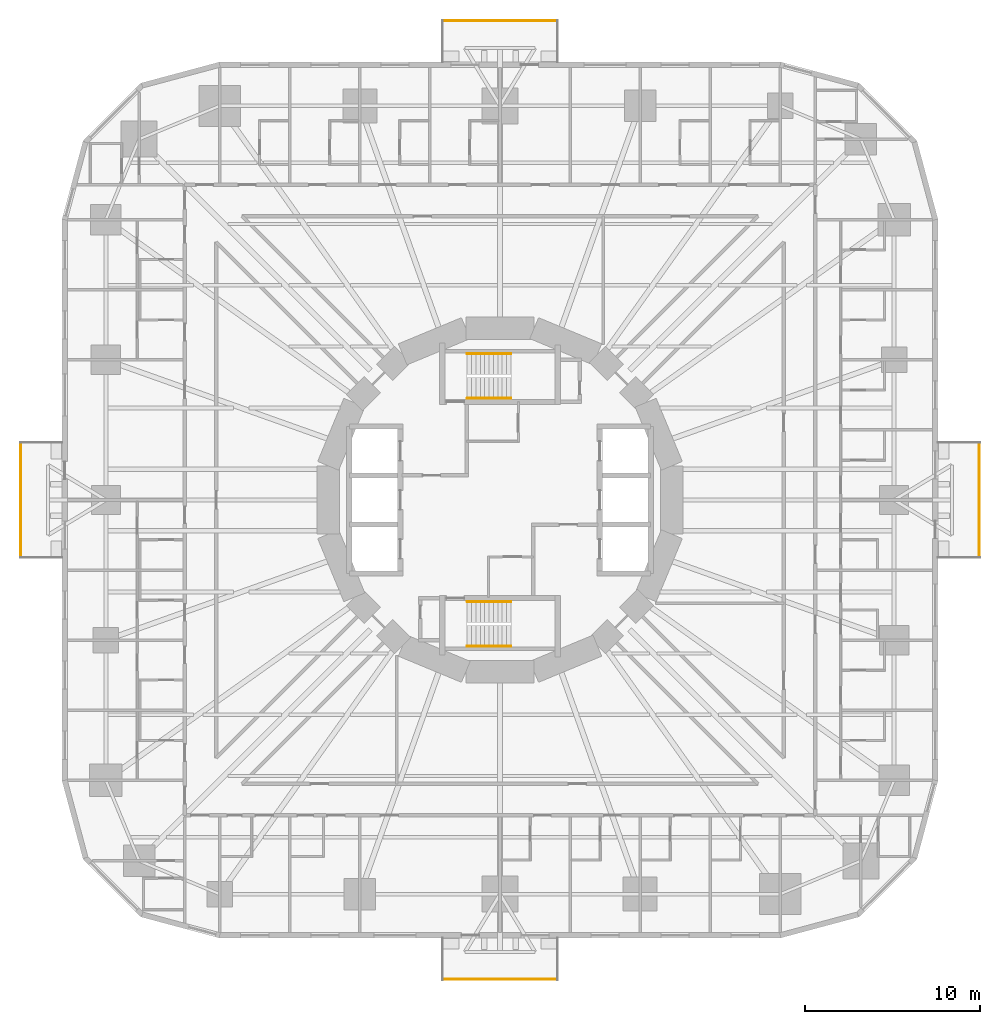
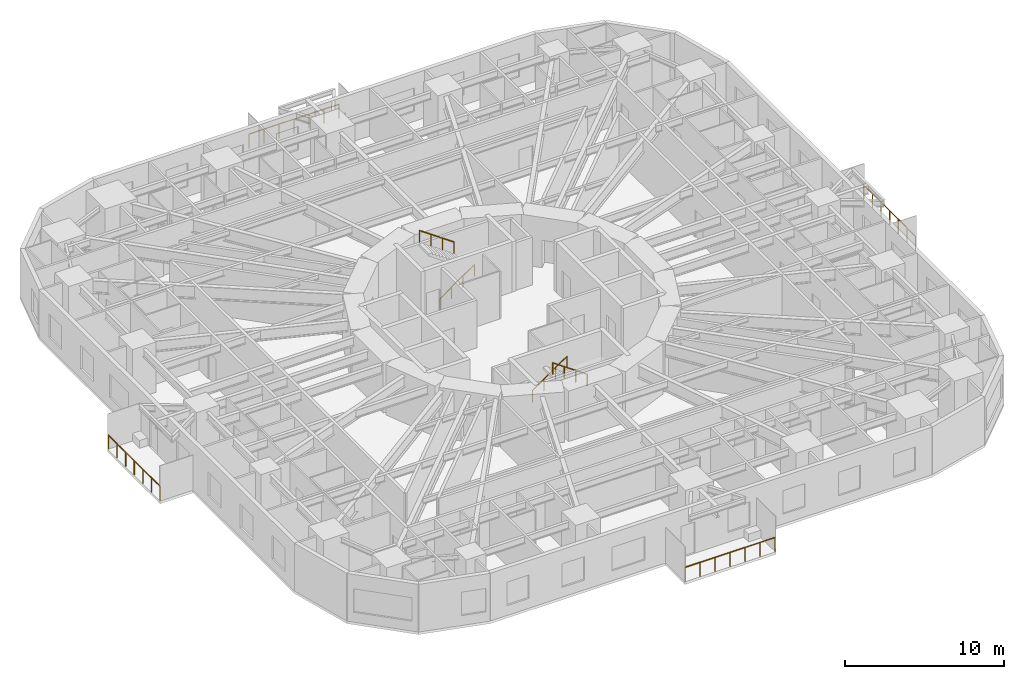
# One storey, part 13 of 14: 8 railings.
"""IFC4 building model written with IfcOpenShell, lengths in metres."""

from ifc_helpers import new_model, si_unit, direction, frame, origin, origin_2d, place, context, subcontext, project, spatial, circle, extrude, material, type_object, element, save


model = new_model("IFC4")

# Units and contexts
model_context = context("Model", 3, precision=1e-05, world=origin(), true_north=direction((0.0, 1.0)))
body_context = subcontext(model_context, "Body", "Model", "MODEL_VIEW")
ifc_project = project(units=[si_unit("LENGTHUNIT", "METRE"), si_unit("AREAUNIT", "SQUARE_METRE"), si_unit("VOLUMEUNIT", "CUBIC_METRE"), si_unit("PLANEANGLEUNIT", "RADIAN"), si_unit("MASSUNIT", "GRAM", prefix="KILO")], contexts=[model_context])

# Site, building, storey
site_placement = place(None, origin())
site = spatial("IfcSite", under=ifc_project, at=site_placement, CompositionType="ELEMENT")
building_placement = place(site_placement, origin())
building = spatial("IfcBuilding", under=site, at=building_placement, Name="Nakasero Lantern House", CompositionType="ELEMENT")
storey_placement = place(building_placement, frame((0.0, 0.0, 42.949951171875)))
storey = spatial("IfcBuildingStorey", under=building, at=storey_placement, Name="L10", CompositionType="ELEMENT", Elevation=42.949951171875)

# Railings
ifc_material_1 = material(Name="Aluminium 6063-T6", Category="aluminium")
railing_type_1 = type_object("IfcRailingType", Name="Balcony guard 1100", PredefinedType="BALUSTRADE", material=ifc_material_1)
railing_1_placement = place(storey_placement, frame((27.35009765625, -3.260009765625, 0.0)))
element("IfcRailing", 1, at=railing_1_placement, inside=storey, type_object=railing_type_1, Name="Balcony guard L10 BAL0", PredefinedType="BALUSTRADE", context=body_context, shape_type="SweptSolid", body=[
    extrude(circle(Radius=0.02392578125, at=origin_2d()), frame((0.0, 0.0, 1.076171875), z_axis=(0.0, 1.0, 0.0), x_axis=(-1.0, 0.0, 0.0)), (0.0, 0.0, 1.0), 6.52001953125),
    extrude(circle(Radius=0.02099609375, at=origin_2d()), origin(), (0.0, 0.0, 1.0), 1.052001953125),
    extrude(circle(Radius=0.02099609375, at=origin_2d()), frame((0.0, 1.086669921875, 0.0)), (0.0, 0.0, 1.0), 1.052001953125),
    extrude(circle(Radius=0.02099609375, at=origin_2d()), frame((0.0, 2.17333984375, 0.0)), (0.0, 0.0, 1.0), 1.052001953125),
    extrude(circle(Radius=0.02099609375, at=origin_2d()), frame((0.0, 3.260009765625, 0.0)), (0.0, 0.0, 1.0), 1.052001953125),
    extrude(circle(Radius=0.02099609375, at=origin_2d()), frame((0.0, 4.3466796875, 0.0)), (0.0, 0.0, 1.0), 1.052001953125),
    extrude(circle(Radius=0.02099609375, at=origin_2d()), frame((0.0, 5.433349609375, 0.0)), (0.0, 0.0, 1.0), 1.052001953125),
    extrude(circle(Radius=0.02099609375, at=origin_2d()), frame((0.0, 6.52001953125, 0.0)), (0.0, 0.0, 1.0), 1.052001953125),
])
railing_2_placement = place(storey_placement, frame((3.260009765625, 27.35009765625, 0.0)))
element("IfcRailing", 2, at=railing_2_placement, inside=storey, type_object=railing_type_1, Name="Balcony guard L10 BAL1", PredefinedType="BALUSTRADE", context=body_context, shape_type="SweptSolid", body=[
    extrude(circle(Radius=0.02392578125, at=origin_2d()), frame((0.0, 0.0, 1.076171875), z_axis=(-1.0, 0.0, 0.0), x_axis=(0.0, -1.0, 0.0)), (0.0, 0.0, 1.0), 6.52001953125),
    extrude(circle(Radius=0.02099609375, at=origin_2d()), origin(), (0.0, 0.0, 1.0), 1.052001953125),
    extrude(circle(Radius=0.02099609375, at=origin_2d()), frame((-1.086669921875, 0.0, 0.0)), (0.0, 0.0, 1.0), 1.052001953125),
    extrude(circle(Radius=0.02099609375, at=origin_2d()), frame((-2.17333984375, 0.0, 0.0)), (0.0, 0.0, 1.0), 1.052001953125),
    extrude(circle(Radius=0.02099609375, at=origin_2d()), frame((-3.260009765625, 0.0, 0.0)), (0.0, 0.0, 1.0), 1.052001953125),
    extrude(circle(Radius=0.02099609375, at=origin_2d()), frame((-4.3466796875, 0.0, 0.0)), (0.0, 0.0, 1.0), 1.052001953125),
    extrude(circle(Radius=0.02099609375, at=origin_2d()), frame((-5.433349609375, 0.0, 0.0)), (0.0, 0.0, 1.0), 1.052001953125),
    extrude(circle(Radius=0.02099609375, at=origin_2d()), frame((-6.52001953125, 0.0, 0.0)), (0.0, 0.0, 1.0), 1.052001953125),
])
railing_3_placement = place(storey_placement, frame((-27.35009765625, 3.260009765625, 0.0)))
element("IfcRailing", 3, at=railing_3_placement, inside=storey, type_object=railing_type_1, Name="Balcony guard L10 BAL2", PredefinedType="BALUSTRADE", context=body_context, shape_type="SweptSolid", body=[
    extrude(circle(Radius=0.02392578125, at=origin_2d()), frame((0.0, 0.0, 1.076171875), z_axis=(0.0, -1.0, 0.0), x_axis=(1.0, 0.0, 0.0)), (0.0, 0.0, 1.0), 6.52001953125),
    extrude(circle(Radius=0.02099609375, at=origin_2d()), origin(), (0.0, 0.0, 1.0), 1.052001953125),
    extrude(circle(Radius=0.02099609375, at=origin_2d()), frame((0.0, -1.086669921875, 0.0)), (0.0, 0.0, 1.0), 1.052001953125),
    extrude(circle(Radius=0.02099609375, at=origin_2d()), frame((0.0, -2.17333984375, 0.0)), (0.0, 0.0, 1.0), 1.052001953125),
    extrude(circle(Radius=0.02099609375, at=origin_2d()), frame((0.0, -3.260009765625, 0.0)), (0.0, 0.0, 1.0), 1.052001953125),
    extrude(circle(Radius=0.02099609375, at=origin_2d()), frame((0.0, -4.3466796875, 0.0)), (0.0, 0.0, 1.0), 1.052001953125),
    extrude(circle(Radius=0.02099609375, at=origin_2d()), frame((0.0, -5.433349609375, 0.0)), (0.0, 0.0, 1.0), 1.052001953125),
    extrude(circle(Radius=0.02099609375, at=origin_2d()), frame((0.0, -6.52001953125, 0.0)), (0.0, 0.0, 1.0), 1.052001953125),
])
railing_4_placement = place(storey_placement, frame((-3.260009765625, -27.35009765625, 0.0)))
element("IfcRailing", 4, at=railing_4_placement, inside=storey, type_object=railing_type_1, Name="Balcony guard L10 BAL3", PredefinedType="BALUSTRADE", context=body_context, shape_type="SweptSolid", body=[
    extrude(circle(Radius=0.02392578125, at=origin_2d()), frame((0.0, 0.0, 1.076171875), z_axis=(1.0, 0.0, 0.0), x_axis=(0.0, 1.0, 0.0)), (0.0, 0.0, 1.0), 6.52001953125),
    extrude(circle(Radius=0.02099609375, at=origin_2d()), origin(), (0.0, 0.0, 1.0), 1.052001953125),
    extrude(circle(Radius=0.02099609375, at=origin_2d()), frame((1.086669921875, 0.0, 0.0)), (0.0, 0.0, 1.0), 1.052001953125),
    extrude(circle(Radius=0.02099609375, at=origin_2d()), frame((2.17333984375, 0.0, 0.0)), (0.0, 0.0, 1.0), 1.052001953125),
    extrude(circle(Radius=0.02099609375, at=origin_2d()), frame((3.260009765625, 0.0, 0.0)), (0.0, 0.0, 1.0), 1.052001953125),
    extrude(circle(Radius=0.02099609375, at=origin_2d()), frame((4.3466796875, 0.0, 0.0)), (0.0, 0.0, 1.0), 1.052001953125),
    extrude(circle(Radius=0.02099609375, at=origin_2d()), frame((5.433349609375, 0.0, 0.0)), (0.0, 0.0, 1.0), 1.052001953125),
    extrude(circle(Radius=0.02099609375, at=origin_2d()), frame((6.52001953125, 0.0, 0.0)), (0.0, 0.0, 1.0), 1.052001953125),
])
ifc_material_2 = material(Name="Stainless steel 316", Category="steel")
railing_type_2 = type_object("IfcRailingType", Name="Stair handrail 900", PredefinedType="HANDRAIL", material=ifc_material_2)
railing_5_placement = place(storey_placement, frame((-1.875, 5.800048828125, 0.175048828125)))
element("IfcRailing", 5, at=railing_5_placement, inside=storey, type_object=railing_type_2, Name="Handrail ST1 L10 flight 1", PredefinedType="HANDRAIL", context=body_context, shape_type="SweptSolid", body=[
    extrude(circle(Radius=0.02392578125, at=origin_2d()), frame((0.0, 0.0, 0.8759765625), z_axis=(0.819231920519, 0.0, 0.573462344363), x_axis=(0.0, 1.0, 0.0)), (0.0, 0.0, 1.0), 3.0517578125),
    extrude(circle(Radius=0.02099609375, at=origin_2d()), origin(), (0.0, 0.0, 1.0), 0.851806640625),
    extrude(circle(Radius=0.02099609375, at=origin_2d()), frame((0.833251953125, 0.0, 0.583251953125)), (0.0, 0.0, 1.0), 0.851806640625),
    extrude(circle(Radius=0.02099609375, at=origin_2d()), frame((1.666748046875, 0.0, 1.166748046875)), (0.0, 0.0, 1.0), 0.851806640625),
    extrude(circle(Radius=0.02099609375, at=origin_2d()), frame((2.5, 0.0, 1.75)), (0.0, 0.0, 1.0), 0.851806640625),
])
railing_6_placement = place(storey_placement, frame((0.625, 8.35009765625, 2.10009765625)))
element("IfcRailing", 6, at=railing_6_placement, inside=storey, type_object=railing_type_2, Name="Handrail ST1 L10 flight 2", PredefinedType="HANDRAIL", context=body_context, shape_type="SweptSolid", body=[
    extrude(circle(Radius=0.02392578125, at=origin_2d()), frame((0.0, 0.0, 0.8759765625), z_axis=(-0.819231920519, 0.0, 0.573462344363), x_axis=(0.0, -1.0, 0.0)), (0.0, 0.0, 1.0), 3.0517578125),
    extrude(circle(Radius=0.02099609375, at=origin_2d()), origin(), (0.0, 0.0, 1.0), 0.851806640625),
    extrude(circle(Radius=0.02099609375, at=origin_2d()), frame((-0.833251953125, 0.0, 0.583251953125)), (0.0, 0.0, 1.0), 0.851806640625),
    extrude(circle(Radius=0.02099609375, at=origin_2d()), frame((-1.666748046875, 0.0, 1.166748046875)), (0.0, 0.0, 1.0), 0.851806640625),
    extrude(circle(Radius=0.02099609375, at=origin_2d()), frame((-2.5, 0.0, 1.75)), (0.0, 0.0, 1.0), 0.851806640625),
])
railing_7_placement = place(storey_placement, frame((-1.875, -5.800048828125, 0.175048828125)))
element("IfcRailing", 7, at=railing_7_placement, inside=storey, type_object=railing_type_2, Name="Handrail ST2 L10 flight 1", PredefinedType="HANDRAIL", context=body_context, shape_type="SweptSolid", body=[
    extrude(circle(Radius=0.02392578125, at=origin_2d()), frame((0.0, 0.0, 0.8759765625), z_axis=(0.819231920519, 0.0, 0.573462344363), x_axis=(0.0, 1.0, 0.0)), (0.0, 0.0, 1.0), 3.0517578125),
    extrude(circle(Radius=0.02099609375, at=origin_2d()), origin(), (0.0, 0.0, 1.0), 0.851806640625),
    extrude(circle(Radius=0.02099609375, at=origin_2d()), frame((0.833251953125, 0.0, 0.583251953125)), (0.0, 0.0, 1.0), 0.851806640625),
    extrude(circle(Radius=0.02099609375, at=origin_2d()), frame((1.666748046875, 0.0, 1.166748046875)), (0.0, 0.0, 1.0), 0.851806640625),
    extrude(circle(Radius=0.02099609375, at=origin_2d()), frame((2.5, 0.0, 1.75)), (0.0, 0.0, 1.0), 0.851806640625),
])
railing_8_placement = place(storey_placement, frame((0.625, -8.35009765625, 2.10009765625)))
element("IfcRailing", 8, at=railing_8_placement, inside=storey, type_object=railing_type_2, Name="Handrail ST2 L10 flight 2", PredefinedType="HANDRAIL", context=body_context, shape_type="SweptSolid", body=[
    extrude(circle(Radius=0.02392578125, at=origin_2d()), frame((0.0, 0.0, 0.8759765625), z_axis=(-0.819231920519, 0.0, 0.573462344363), x_axis=(0.0, -1.0, 0.0)), (0.0, 0.0, 1.0), 3.0517578125),
    extrude(circle(Radius=0.02099609375, at=origin_2d()), origin(), (0.0, 0.0, 1.0), 0.851806640625),
    extrude(circle(Radius=0.02099609375, at=origin_2d()), frame((-0.833251953125, 0.0, 0.583251953125)), (0.0, 0.0, 1.0), 0.851806640625),
    extrude(circle(Radius=0.02099609375, at=origin_2d()), frame((-1.666748046875, 0.0, 1.166748046875)), (0.0, 0.0, 1.0), 0.851806640625),
    extrude(circle(Radius=0.02099609375, at=origin_2d()), frame((-2.5, 0.0, 1.75)), (0.0, 0.0, 1.0), 0.851806640625),
])

save(model, "model.ifc")
